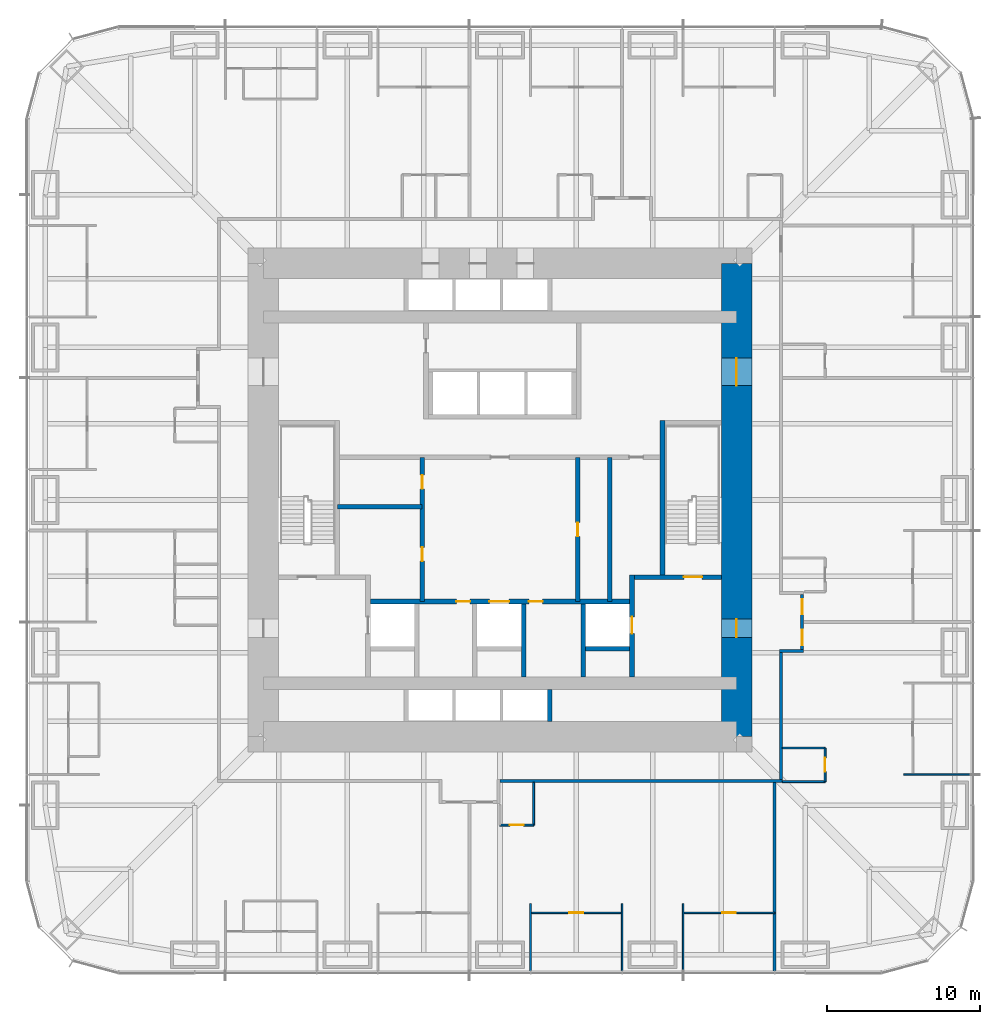
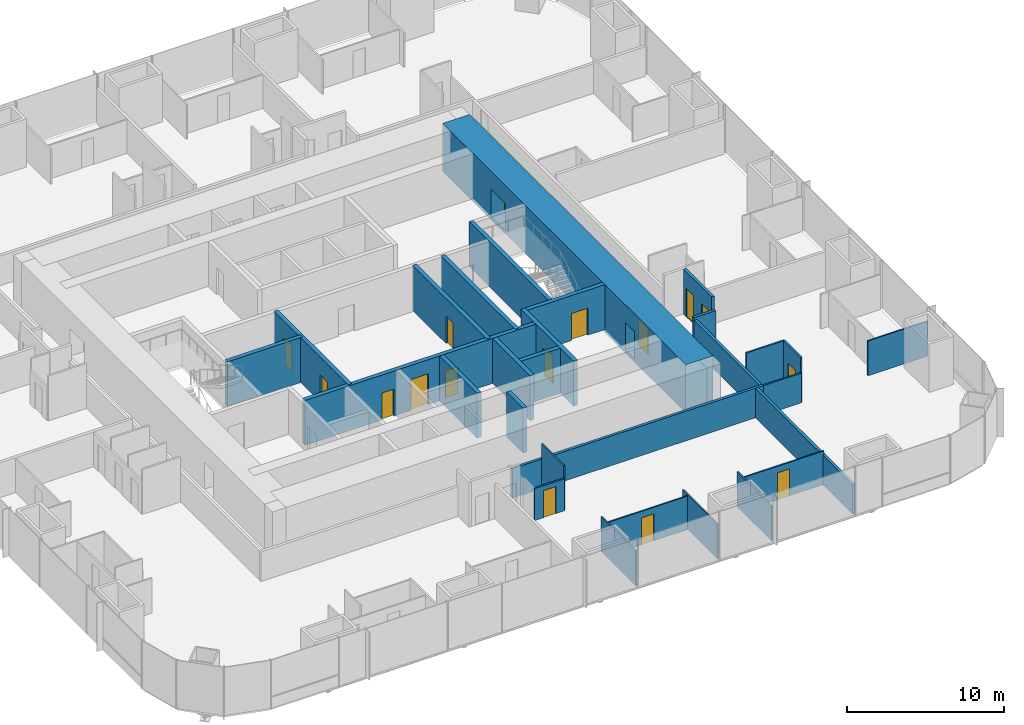
# One storey, part 13 of 17: 29 walls, 16 doors, 16 openings.
"""IFC4 building model written with IfcOpenShell, lengths in metres."""

from ifc_helpers import new_model, si_unit, direction, frame, frame_2d, origin, place, context, subcontext, project, spatial, rectangle, extrude, material, layer, layer_set, type_object, element, fill, save


model = new_model("IFC4")

# Units and contexts
model_context = context("Model", 3, precision=1e-05, world=origin(), true_north=direction((0.0, 1.0)))
body_context = subcontext(model_context, "Body", "Model", "MODEL_VIEW")
ifc_project = project(units=[si_unit("LENGTHUNIT", "METRE"), si_unit("AREAUNIT", "SQUARE_METRE"), si_unit("VOLUMEUNIT", "CUBIC_METRE"), si_unit("PLANEANGLEUNIT", "RADIAN"), si_unit("MASSUNIT", "GRAM", prefix="KILO")], contexts=[model_context])

# Site, building, storey
site_placement = place(None, origin())
site = spatial("IfcSite", under=ifc_project, at=site_placement, CompositionType="ELEMENT")
building_placement = place(site_placement, origin())
building = spatial("IfcBuilding", under=site, at=building_placement, Name="Khuree Lantern Residences", CompositionType="ELEMENT")
storey_placement = place(building_placement, frame((0.0, 0.0, 88.5)))
storey = spatial("IfcBuildingStorey", under=building, at=storey_placement, Name="L22", CompositionType="ELEMENT", Elevation=88.5)

# Wall, opening, door
ifc_material_1 = material(Name="Moisture-resistant gypsum board on steel studs", Category="steel")
ifc_layer_1 = layer(ifc_material_1, 0.125)
ifc_layer_set_1 = layer_set([ifc_layer_1], Name="BATHROOM WALL BTW125")
wall_type_1 = type_object("IfcWallType", Name="BATHROOM WALL BTW125", PredefinedType="PARTITIONING", material=ifc_layer_set_1)
wall_1_placement = place(storey_placement, frame((0.0, -21.300048828125, 0.0), z_axis=(0.0, 0.0, 1.0), x_axis=(1.0, 0.0, 0.0)))
wall_1 = element("IfcWall", 1, at=wall_1_placement, inside=storey, type_object=wall_type_1, Name="L22 BATHROOM WALL 08", PredefinedType="PARTITIONING", context=body_context, shape_type="SweptSolid", body=[
    extrude(rectangle(XDim=2.199951171875, YDim=0.125, at=frame_2d((1.10009765625, 0.0))), origin(), (0.0, 0.0, 1.0), 2.491943359375),
])
opening_1_placement = place(wall_1_placement, frame((0.64990234375, 0.0, 0.0)))
opening_1 = element("IfcOpeningElement", 2, at=opening_1_placement, cuts=wall_1, Name="Opening 22-055", PredefinedType="OPENING", context=body_context, shape_type="SweptSolid", body=[
    extrude(rectangle(XDim=0.89990234375, YDim=2.10009765625, at=frame_2d((0.449951171875, 1.050048828125))), frame((0.0, 0.072509765625, 0.0), z_axis=(0.0, -1.0, 0.0), x_axis=(1.0, 0.0, 0.0)), (0.0, 0.0, 1.0), 0.14501953125),
])
ifc_material_2 = material(Name="Timber door leaf in hardwood frame", Category="wood")
door_type_1 = type_object("IfcDoorType", Name="BATHROOM DOOR 900X2100", OperationType="SINGLE_SWING_LEFT", PredefinedType="DOOR", material=ifc_material_2)
door_1_placement = place(opening_1_placement, origin())
door_1 = element("IfcDoor", 3, at=door_1_placement, inside=storey, type_object=door_type_1, Name="Bathroom door 22-055", OperationType="SINGLE_SWING_LEFT", OverallHeight=2.10009765625, OverallWidth=0.89990234375, PredefinedType="DOOR", context=body_context, shape_type="SweptSolid", body=[
    extrude(rectangle(XDim=0.89990234375, YDim=2.10009765625, at=frame_2d((0.449951171875, 1.050048828125))), frame((0.0, 0.02490234375, 0.0), z_axis=(0.0, -1.0, 0.0), x_axis=(1.0, 0.0, 0.0)), (0.0, 0.0, 1.0), 0.050048828125),
])
fill(opening_1, door_1)

# Wall
wall_2_placement = place(storey_placement, frame((2.199951171875, -18.5, 0.0), z_axis=(0.0, 0.0, 1.0), x_axis=(0.0, -1.0, 0.0)))
element("IfcWall", 4, at=wall_2_placement, inside=storey, type_object=wall_type_1, Name="L22 BATHROOM WALL 08", PredefinedType="PARTITIONING", context=body_context, shape_type="SweptSolid", body=[
    extrude(rectangle(XDim=2.800048828125, YDim=0.125, at=frame_2d((1.39990234375, 0.0))), origin(), (0.0, 0.0, 1.0), 3.5),
])

# Wall, opening, door
wall_3_placement = place(storey_placement, frame((21.300048828125, -18.449951171875, 0.0), z_axis=(0.0, 0.0, 1.0), x_axis=(0.0, 1.0, 0.0)))
wall_3 = element("IfcWall", 5, at=wall_3_placement, inside=storey, type_object=wall_type_1, Name="L22 BATHROOM WALL 09", PredefinedType="PARTITIONING", context=body_context, shape_type="SweptSolid", body=[
    extrude(rectangle(XDim=2.199951171875, YDim=0.125, at=frame_2d((1.10009765625, 0.0))), origin(), (0.0, 0.0, 1.0), 3.5),
])
opening_2_placement = place(wall_3_placement, frame((0.64990234375, 0.0, 0.0)))
opening_2 = element("IfcOpeningElement", 6, at=opening_2_placement, cuts=wall_3, Name="Opening 22-058", PredefinedType="OPENING", context=body_context, shape_type="SweptSolid", body=[
    extrude(rectangle(XDim=0.89990234375, YDim=2.10009765625, at=frame_2d((0.449951171875, 1.050048828125))), frame((0.0, 0.072509765625, 0.0), z_axis=(0.0, -1.0, 0.0), x_axis=(1.0, 0.0, 0.0)), (0.0, 0.0, 1.0), 0.14501953125),
])
door_2_placement = place(opening_2_placement, origin())
door_2 = element("IfcDoor", 7, at=door_2_placement, inside=storey, type_object=door_type_1, Name="Bathroom door 22-058", OperationType="SINGLE_SWING_LEFT", OverallHeight=2.10009765625, OverallWidth=0.89990234375, PredefinedType="DOOR", context=body_context, shape_type="SweptSolid", body=[
    extrude(rectangle(XDim=0.89990234375, YDim=2.10009765625, at=frame_2d((0.449951171875, 1.050048828125))), frame((0.0, 0.02490234375, 0.0), z_axis=(0.0, -1.0, 0.0), x_axis=(1.0, 0.0, 0.0)), (0.0, 0.0, 1.0), 0.050048828125),
])
fill(opening_2, door_2)

# Walls
wall_4_placement = place(storey_placement, frame((18.5, -18.449951171875, 0.0), z_axis=(0.0, 0.0, 1.0), x_axis=(1.0, 0.0, 0.0)))
element("IfcWall", 8, at=wall_4_placement, inside=storey, type_object=wall_type_1, Name="L22 BATHROOM WALL 09", PredefinedType="PARTITIONING", context=body_context, shape_type="SweptSolid", body=[
    extrude(rectangle(XDim=2.800048828125, YDim=0.125, at=frame_2d((1.39990234375, 0.0))), origin(), (0.0, 0.0, 1.0), 2.300048828125),
])
wall_5_placement = place(storey_placement, frame((18.5, -16.25, 0.0), z_axis=(0.0, 0.0, 1.0), x_axis=(1.0, 0.0, 0.0)))
element("IfcWall", 9, at=wall_5_placement, inside=storey, type_object=wall_type_1, Name="L22 BATHROOM WALL 09", PredefinedType="PARTITIONING", context=body_context, shape_type="SweptSolid", body=[
    extrude(rectangle(XDim=2.800048828125, YDim=0.125, at=frame_2d((1.39990234375, 0.0))), origin(), (0.0, 0.0, 1.0), 3.5),
])

# Wall, opening, door
ifc_material_3 = material(Name="Dense concrete blockwork", Category="masonry")
ifc_layer_2 = layer(ifc_material_3, 0.300048828125)
ifc_layer_set_2 = layer_set([ifc_layer_2], Name="CORE PARTITION WALL CPW300 EI 120")
wall_type_2 = type_object("IfcWallType", Name="CORE PARTITION WALL CPW300 EI 120", PredefinedType="PARTITIONING", material=ifc_layer_set_2)
wall_6_placement = place(storey_placement, frame((8.64990234375, -11.60009765625, 0.0), z_axis=(0.0, 0.0, 1.0), x_axis=(0.0, 1.0, 0.0)))
wall_6 = element("IfcWall", 10, at=wall_6_placement, inside=storey, type_object=wall_type_2, Name="L22 CORE WALL FL2E", PredefinedType="PARTITIONING", context=body_context, shape_type="SweptSolid", body=[
    extrude(rectangle(XDim=6.7001953125, YDim=0.300048828125, at=frame_2d((3.35009765625, 0.0))), origin(), (0.0, 0.0, 1.0), 3.5),
])
opening_3_placement = place(wall_6_placement, frame((2.85009765625, 0.0, 0.0)))
opening_3 = element("IfcOpeningElement", 11, at=opening_3_placement, cuts=wall_6, Name="Opening 22-008", PredefinedType="OPENING", context=body_context, shape_type="SweptSolid", body=[
    extrude(rectangle(XDim=1.10009765625, YDim=2.10009765625, at=frame_2d((0.550048828125, 1.050048828125))), frame((0.0, 0.16015625, 0.0), z_axis=(0.0, -1.0, 0.0), x_axis=(1.0, 0.0, 0.0)), (0.0, 0.0, 1.0), 0.320068359375),
])
ifc_material_4 = material(Name="Stainless steel lift landing door", Category="steel")
door_type_2 = type_object("IfcDoorType", Name="LIFT LANDING DOOR 1100X2100 E 120", OperationType="DOUBLE_DOOR_SLIDING", PredefinedType="DOOR", material=ifc_material_4)
door_3_placement = place(opening_3_placement, origin())
door_3 = element("IfcDoor", 12, at=door_3_placement, inside=storey, type_object=door_type_2, Name="Landing door FL2 22-008", OperationType="DOUBLE_DOOR_SLIDING", OverallHeight=2.10009765625, OverallWidth=1.10009765625, PredefinedType="DOOR", context=body_context, shape_type="SweptSolid", body=[
    extrude(rectangle(XDim=1.10009765625, YDim=2.10009765625, at=frame_2d((0.550048828125, 1.050048828125))), frame((0.0, 0.02490234375, 0.0), z_axis=(0.0, -1.0, 0.0), x_axis=(1.0, 0.0, 0.0)), (0.0, 0.0, 1.0), 0.050048828125),
])
fill(opening_3, door_3)

# Wall, openings, doors
wall_7_placement = place(storey_placement, frame((-8.5, -6.64990234375, 0.0), z_axis=(0.0, 0.0, 1.0), x_axis=(1.0, 0.0, 0.0)))
wall_7 = element("IfcWall", 13, at=wall_7_placement, inside=storey, type_object=wall_type_2, Name="L22 CORE WALL FLROW", PredefinedType="PARTITIONING", context=body_context, shape_type="SweptSolid", body=[
    extrude(rectangle(XDim=17.0, YDim=0.300048828125, at=frame_2d((8.5, 0.0))), origin(), (0.0, 0.0, 1.0), 3.5),
])
opening_4_placement = place(wall_7_placement, frame((7.800048828125, 0.0, 0.0)))
opening_4 = element("IfcOpeningElement", 14, at=opening_4_placement, cuts=wall_7, Name="Opening 22-012", PredefinedType="OPENING", context=body_context, shape_type="SweptSolid", body=[
    extrude(rectangle(XDim=1.300048828125, YDim=2.39990234375, at=frame_2d((0.64990234375, 1.199951171875))), frame((0.0, 0.16015625, 0.0), z_axis=(0.0, -1.0, 0.0), x_axis=(1.0, 0.0, 0.0)), (0.0, 0.0, 1.0), 0.320068359375),
])
opening_5_placement = place(wall_7_placement, frame((5.64990234375, 0.0, 0.0)))
opening_5 = element("IfcOpeningElement", 15, at=opening_5_placement, cuts=wall_7, Name="Opening 22-014", PredefinedType="OPENING", context=body_context, shape_type="SweptSolid", body=[
    extrude(rectangle(XDim=0.89990234375, YDim=2.10009765625, at=frame_2d((0.449951171875, 1.050048828125))), frame((0.0, 0.16015625, 0.0), z_axis=(0.0, -1.0, 0.0), x_axis=(1.0, 0.0, 0.0)), (0.0, 0.0, 1.0), 0.320068359375),
])
opening_6_placement = place(wall_7_placement, frame((10.39990234375, 0.0, 0.0)))
opening_6 = element("IfcOpeningElement", 16, at=opening_6_placement, cuts=wall_7, Name="Opening 22-015", PredefinedType="OPENING", context=body_context, shape_type="SweptSolid", body=[
    extrude(rectangle(XDim=0.89990234375, YDim=2.10009765625, at=frame_2d((0.449951171875, 1.050048828125))), frame((0.0, 0.16015625, 0.0), z_axis=(0.0, -1.0, 0.0), x_axis=(1.0, 0.0, 0.0)), (0.0, 0.0, 1.0), 0.320068359375),
])
ifc_material_5 = material(Name="Steel door leaf in steel frame", Category="steel")
door_type_3 = type_object("IfcDoorType", Name="DOOR 900X2100 EI 60", OperationType="SINGLE_SWING_LEFT", PredefinedType="DOOR", material=ifc_material_5)
door_4_placement = place(opening_5_placement, origin())
door_4 = element("IfcDoor", 17, at=door_4_placement, inside=storey, type_object=door_type_3, Name="Refuse chute room door 22-014", OperationType="SINGLE_SWING_LEFT", OverallHeight=2.10009765625, OverallWidth=0.89990234375, PredefinedType="DOOR", context=body_context, shape_type="SweptSolid", body=[
    extrude(rectangle(XDim=0.89990234375, YDim=2.10009765625, at=frame_2d((0.449951171875, 1.050048828125))), frame((0.0, 0.02490234375, 0.0), z_axis=(0.0, -1.0, 0.0), x_axis=(1.0, 0.0, 0.0)), (0.0, 0.0, 1.0), 0.050048828125),
])
fill(opening_5, door_4)
door_type_4 = type_object("IfcDoorType", Name="DOOR 900X2100 EI 60 RIGHT HAND", OperationType="SINGLE_SWING_RIGHT", PredefinedType="DOOR", material=ifc_material_5)
door_5_placement = place(opening_6_placement, origin())
door_5 = element("IfcDoor", 18, at=door_5_placement, inside=storey, type_object=door_type_4, Name="Electrical and plumbing riser door 22-015", OperationType="SINGLE_SWING_RIGHT", OverallHeight=2.10009765625, OverallWidth=0.89990234375, PredefinedType="DOOR", context=body_context, shape_type="SweptSolid", body=[
    extrude(rectangle(XDim=0.89990234375, YDim=2.10009765625, at=frame_2d((0.449951171875, 1.050048828125))), frame((0.0, 0.02490234375, 0.0), z_axis=(0.0, -1.0, 0.0), x_axis=(1.0, 0.0, 0.0)), (0.0, 0.0, 1.0), 0.050048828125),
])
fill(opening_6, door_5)
door_type_5 = type_object("IfcDoorType", Name="LIFT LANDING DOOR 1300X2400 E 60", OperationType="DOUBLE_DOOR_SLIDING", PredefinedType="DOOR", material=ifc_material_4)
door_6_placement = place(opening_4_placement, origin())
door_6 = element("IfcDoor", 19, at=door_6_placement, inside=storey, type_object=door_type_5, Name="Landing door SL1 22-012", OperationType="DOUBLE_DOOR_SLIDING", OverallHeight=2.39990234375, OverallWidth=1.300048828125, PredefinedType="DOOR", context=body_context, shape_type="SweptSolid", body=[
    extrude(rectangle(XDim=1.300048828125, YDim=2.39990234375, at=frame_2d((0.64990234375, 1.199951171875))), frame((0.0, 0.02490234375, 0.0), z_axis=(0.0, -1.0, 0.0), x_axis=(1.0, 0.0, 0.0)), (0.0, 0.0, 1.0), 0.050048828125),
])
fill(opening_4, door_6)

# Walls
for number, where, z_axis, x_axis, name in (
    (20, (1.550048828125, -11.60009765625, 0.0), (0.0, 0.0, 1.0), (0.0, 1.0, 0.0), "L22 CORE WALL SL1E"),
    (21, (5.449951171875, -11.60009765625, 0.0), (0.0, 0.0, 1.0), (0.0, 1.0, 0.0), "L22 CORE WALL FL2W"),
):
    element("IfcWall", number, at=place(storey_placement, frame(where, z_axis=z_axis, x_axis=x_axis)), inside=storey, type_object=wall_type_2, Name=name, PredefinedType="PARTITIONING", context=body_context, shape_type="SweptSolid", body=[
        extrude(rectangle(XDim=4.800048828125, YDim=0.300048828125, at=frame_2d((2.39990234375, 0.0))), origin(), (0.0, 0.0, 1.0), 3.5),
    ])
wall_8_placement = place(storey_placement, frame((5.60009765625, -9.75, 0.0), z_axis=(0.0, 0.0, 1.0), x_axis=(1.0, 0.0, 0.0)))
element("IfcWall", 22, at=wall_8_placement, inside=storey, type_object=wall_type_2, Name="L22 CORE WALL FL2S", PredefinedType="PARTITIONING", context=body_context, shape_type="SweptSolid", body=[
    extrude(rectangle(XDim=2.89990234375, YDim=0.300048828125, at=frame_2d((1.449951171875, 0.0))), origin(), (0.0, 0.0, 1.0), 3.5),
])
wall_9_placement = place(storey_placement, frame((3.25, -14.5, 0.0), z_axis=(0.0, 0.0, 1.0), x_axis=(0.0, 1.0, 0.0)))
element("IfcWall", 23, at=wall_9_placement, inside=storey, type_object=wall_type_2, Name="L22 CORE WALL PME", PredefinedType="PARTITIONING", context=body_context, shape_type="SweptSolid", body=[
    extrude(rectangle(XDim=2.10009765625, YDim=0.300048828125, at=frame_2d((1.050048828125, 0.0))), origin(), (0.0, 0.0, 1.0), 3.5),
])

# Wall, openings, doors
wall_10_placement = place(storey_placement, frame((-5.10009765625, -6.64990234375, 0.0), z_axis=(0.0, 0.0, 1.0), x_axis=(0.0, 1.0, 0.0)))
wall_10 = element("IfcWall", 24, at=wall_10_placement, inside=storey, type_object=wall_type_2, Name="L22 CORE WALL SVW", PredefinedType="PARTITIONING", context=body_context, shape_type="SweptSolid", body=[
    extrude(rectangle(XDim=9.449951171875, YDim=0.300048828125, at=frame_2d((4.72509765625, 0.0))), origin(), (0.0, 0.0, 1.0), 3.5),
])
opening_7_placement = place(wall_10_placement, frame((2.64794921875, 0.0, 0.0)))
opening_7 = element("IfcOpeningElement", 25, at=opening_7_placement, cuts=wall_10, Name="Opening 22-016", PredefinedType="OPENING", context=body_context, shape_type="SweptSolid", body=[
    extrude(rectangle(XDim=0.89990234375, YDim=2.10009765625, at=frame_2d((0.449951171875, 1.050048828125))), frame((0.0, 0.16015625, 0.0), z_axis=(0.0, -1.0, 0.0), x_axis=(1.0, 0.0, 0.0)), (0.0, 0.0, 1.0), 0.320068359375),
])
opening_8_placement = place(wall_10_placement, frame((7.373046875, 0.0, 0.0)))
opening_8 = element("IfcOpeningElement", 26, at=opening_8_placement, cuts=wall_10, Name="Opening 22-017", PredefinedType="OPENING", context=body_context, shape_type="SweptSolid", body=[
    extrude(rectangle(XDim=0.89990234375, YDim=2.10009765625, at=frame_2d((0.449951171875, 1.050048828125))), frame((0.0, 0.16015625, 0.0), z_axis=(0.0, -1.0, 0.0), x_axis=(1.0, 0.0, 0.0)), (0.0, 0.0, 1.0), 0.320068359375),
])
door_type_6 = type_object("IfcDoorType", Name="DOOR 900X2100", OperationType="SINGLE_SWING_LEFT", PredefinedType="DOOR", material=ifc_material_2)
door_7_placement = place(opening_7_placement, origin())
door_7 = element("IfcDoor", 27, at=door_7_placement, inside=storey, type_object=door_type_6, Name="Residents' store door 22-016", OperationType="SINGLE_SWING_LEFT", OverallHeight=2.10009765625, OverallWidth=0.89990234375, PredefinedType="DOOR", context=body_context, shape_type="SweptSolid", body=[
    extrude(rectangle(XDim=0.89990234375, YDim=2.10009765625, at=frame_2d((0.449951171875, 1.050048828125))), frame((0.0, 0.02490234375, 0.0), z_axis=(0.0, -1.0, 0.0), x_axis=(1.0, 0.0, 0.0)), (0.0, 0.0, 1.0), 0.050048828125),
])
fill(opening_7, door_7)
door_8_placement = place(opening_8_placement, origin())
door_8 = element("IfcDoor", 28, at=door_8_placement, inside=storey, type_object=door_type_6, Name="Bulky waste store door 22-017", OperationType="SINGLE_SWING_LEFT", OverallHeight=2.10009765625, OverallWidth=0.89990234375, PredefinedType="DOOR", context=body_context, shape_type="SweptSolid", body=[
    extrude(rectangle(XDim=0.89990234375, YDim=2.10009765625, at=frame_2d((0.449951171875, 1.050048828125))), frame((0.0, 0.02490234375, 0.0), z_axis=(0.0, -1.0, 0.0), x_axis=(1.0, 0.0, 0.0)), (0.0, 0.0, 1.0), 0.050048828125),
])
fill(opening_8, door_8)

# Wall, opening, door
wall_11_placement = place(storey_placement, frame((5.10009765625, -6.64990234375, 0.0), z_axis=(0.0, 0.0, 1.0), x_axis=(0.0, 1.0, 0.0)))
wall_11 = element("IfcWall", 29, at=wall_11_placement, inside=storey, type_object=wall_type_2, Name="L22 CORE WALL SVE", PredefinedType="PARTITIONING", context=body_context, shape_type="SweptSolid", body=[
    extrude(rectangle(XDim=9.449951171875, YDim=0.300048828125, at=frame_2d((4.72509765625, 0.0))), origin(), (0.0, 0.0, 1.0), 3.5),
])
opening_9_placement = place(wall_11_placement, frame((4.27490234375, 0.0, 0.0)))
opening_9 = element("IfcOpeningElement", 30, at=opening_9_placement, cuts=wall_11, Name="Opening 22-018", PredefinedType="OPENING", context=body_context, shape_type="SweptSolid", body=[
    extrude(rectangle(XDim=0.89990234375, YDim=2.10009765625, at=frame_2d((0.449951171875, 1.050048828125))), frame((0.0, 0.16015625, 0.0), z_axis=(0.0, -1.0, 0.0), x_axis=(1.0, 0.0, 0.0)), (0.0, 0.0, 1.0), 0.320068359375),
])
door_9_placement = place(opening_9_placement, origin())
door_9 = element("IfcDoor", 31, at=door_9_placement, inside=storey, type_object=door_type_6, Name="Parcel room door 22-018", OperationType="SINGLE_SWING_LEFT", OverallHeight=2.10009765625, OverallWidth=0.89990234375, PredefinedType="DOOR", context=body_context, shape_type="SweptSolid", body=[
    extrude(rectangle(XDim=0.89990234375, YDim=2.10009765625, at=frame_2d((0.449951171875, 1.050048828125))), frame((0.0, 0.02490234375, 0.0), z_axis=(0.0, -1.0, 0.0), x_axis=(1.0, 0.0, 0.0)), (0.0, 0.0, 1.0), 0.050048828125),
])
fill(opening_9, door_9)

# Walls
wall_12_placement = place(storey_placement, frame((-10.64990234375, -0.455078125, 0.0), z_axis=(0.0, 0.0, 1.0), x_axis=(1.0, 0.0, 0.0)))
element("IfcWall", 32, at=wall_12_placement, inside=storey, type_object=wall_type_2, Name="L22 CORE WALL WX", PredefinedType="PARTITIONING", context=body_context, shape_type="SweptSolid", body=[
    extrude(rectangle(XDim=5.5498046875, YDim=0.300048828125, at=frame_2d((2.77490234375, 0.0))), origin(), (0.0, 0.0, 1.0), 3.5),
])
wall_13_placement = place(storey_placement, frame((7.193115234375, -6.64990234375, 0.0), z_axis=(0.0, 0.0, 1.0), x_axis=(0.0, 1.0, 0.0)))
element("IfcWall", 33, at=wall_13_placement, inside=storey, type_object=wall_type_2, Name="L22 CORE WALL EV", PredefinedType="PARTITIONING", context=body_context, shape_type="SweptSolid", body=[
    extrude(rectangle(XDim=9.449951171875, YDim=0.300048828125, at=frame_2d((4.72509765625, 0.0))), origin(), (0.0, 0.0, 1.0), 3.5),
])
ifc_material_6 = material(Name="Gypsum board on steel studs", Category="steel")
ifc_layer_3 = layer(ifc_material_6, 0.199951171875)
ifc_layer_set_3 = layer_set([ifc_layer_3], Name="CORRIDOR WALL CRW200 EI 60")
wall_type_3 = type_object("IfcWallType", Name="CORRIDOR WALL CRW200 EI 60", PredefinedType="PARTITIONING", material=ifc_layer_set_3)
wall_14_placement = place(storey_placement, frame((18.39990234375, -18.300048828125, 0.0), z_axis=(0.0, 0.0, 1.0), x_axis=(0.0, 1.0, 0.0)))
element("IfcWall", 34, at=wall_14_placement, inside=storey, type_object=wall_type_3, Name="L22 CORRIDOR WALL EAST 1", PredefinedType="PARTITIONING", context=body_context, shape_type="SweptSolid", body=[
    extrude(rectangle(XDim=8.300048828125, YDim=0.199951171875, at=frame_2d((4.14990234375, 0.0))), origin(), (0.0, 0.0, 1.0), 2.300048828125),
])
wall_15_placement = place(storey_placement, frame((18.300048828125, -9.89990234375, 0.0), z_axis=(0.0, 0.0, 1.0), x_axis=(1.0, 0.0, 0.0)))
element("IfcWall", 35, at=wall_15_placement, inside=storey, type_object=wall_type_3, Name="L22 CORRIDOR ALCOVE WALL EAST", PredefinedType="PARTITIONING", context=body_context, shape_type="SweptSolid", body=[
    extrude(rectangle(XDim=1.599853515625, YDim=0.199951171875, at=frame_2d((0.7998046875, 0.0))), origin(), (0.0, 0.0, 1.0), 2.491943359375),
])

# Wall, openings, doors
wall_16_placement = place(storey_placement, frame((19.800048828125, -9.800048828125, 0.0), z_axis=(0.0, 0.0, 1.0), x_axis=(0.0, 1.0, 0.0)))
wall_16 = element("IfcWall", 36, at=wall_16_placement, inside=storey, type_object=wall_type_3, Name="L22 CORRIDOR ALCOVE WALL EAST", PredefinedType="PARTITIONING", context=body_context, shape_type="SweptSolid", body=[
    extrude(rectangle(XDim=3.60009765625, YDim=0.199951171875, at=frame_2d((1.800048828125, 0.0))), origin(), (0.0, 0.0, 1.0), 3.5),
])
opening_10_placement = place(wall_16_placement, frame((2.300048828125, 0.0, 0.0)))
opening_10 = element("IfcOpeningElement", 37, at=opening_10_placement, cuts=wall_16, Name="Opening 22-023", PredefinedType="OPENING", context=body_context, shape_type="SweptSolid", body=[
    extrude(rectangle(XDim=1.0, YDim=2.199951171875, at=frame_2d((0.5, 1.10009765625))), frame((0.0, 0.10986328125, 0.0), z_axis=(0.0, -1.0, 0.0), x_axis=(1.0, 0.0, 0.0)), (0.0, 0.0, 1.0), 0.219970703125),
])
opening_11_placement = place(wall_16_placement, frame((0.300048828125, 0.0, 0.0)))
opening_11 = element("IfcOpeningElement", 38, at=opening_11_placement, cuts=wall_16, Name="Opening 22-059", PredefinedType="OPENING", context=body_context, shape_type="SweptSolid", body=[
    extrude(rectangle(XDim=1.0, YDim=2.199951171875, at=frame_2d((0.5, 1.10009765625))), frame((0.0, 0.10986328125, 0.0), z_axis=(0.0, -1.0, 0.0), x_axis=(1.0, 0.0, 0.0)), (0.0, 0.0, 1.0), 0.219970703125),
])
door_type_7 = type_object("IfcDoorType", Name="APARTMENT ENTRANCE DOOR 1000X2200 EI 30S", OperationType="SINGLE_SWING_LEFT", PredefinedType="DOOR", material=ifc_material_2)
door_10_placement = place(opening_11_placement, origin())
door_10 = element("IfcDoor", 39, at=door_10_placement, inside=storey, type_object=door_type_7, Name="Apartment 09 entrance door 22-059", OperationType="SINGLE_SWING_LEFT", OverallHeight=2.199951171875, OverallWidth=1.0, PredefinedType="DOOR", context=body_context, shape_type="SweptSolid", body=[
    extrude(rectangle(XDim=1.0, YDim=2.199951171875, at=frame_2d((0.5, 1.10009765625))), frame((0.0, 0.02490234375, 0.0), z_axis=(0.0, -1.0, 0.0), x_axis=(1.0, 0.0, 0.0)), (0.0, 0.0, 1.0), 0.050048828125),
])
fill(opening_11, door_10)
door_type_8 = type_object("IfcDoorType", Name="APARTMENT ENTRANCE DOOR 1000X2200 EI 30S RIGHT HAND", OperationType="SINGLE_SWING_RIGHT", PredefinedType="DOOR", material=ifc_material_2)
door_11_placement = place(opening_10_placement, origin())
door_11 = element("IfcDoor", 40, at=door_11_placement, inside=storey, type_object=door_type_8, Name="Apartment 01 entrance door 22-023", OperationType="SINGLE_SWING_RIGHT", OverallHeight=2.199951171875, OverallWidth=1.0, PredefinedType="DOOR", context=body_context, shape_type="SweptSolid", body=[
    extrude(rectangle(XDim=1.0, YDim=2.199951171875, at=frame_2d((0.5, 1.10009765625))), frame((0.0, 0.02490234375, 0.0), z_axis=(0.0, -1.0, 0.0), x_axis=(1.0, 0.0, 0.0)), (0.0, 0.0, 1.0), 0.050048828125),
])
fill(opening_10, door_11)

# Wall
wall_17_placement = place(storey_placement, frame((18.5, -18.39990234375, 0.0), z_axis=(0.0, 0.0, 1.0), x_axis=(-1.0, 0.0, 0.0)))
element("IfcWall", 41, at=wall_17_placement, inside=storey, type_object=wall_type_3, Name="L22 CORRIDOR WALL SOUTH 1", PredefinedType="PARTITIONING", context=body_context, shape_type="SweptSolid", body=[
    extrude(rectangle(XDim=18.5, YDim=0.199951171875, at=frame_2d((9.25, 0.0))), origin(), (0.0, 0.0, 1.0), 2.300048828125),
])

# Wall, openings, doors
ifc_material_7 = material(Name="Concrete C70/85", Category="concrete")
ifc_layer_4 = layer(ifc_material_7, 2.0)
ifc_layer_set_4 = layer_set([ifc_layer_4], Name="CW2000-C70 CORE WALL C70 2000")
wall_type_4 = type_object("IfcWallType", Name="CW2000-C70 CORE WALL C70 2000", PredefinedType="SHEAR", material=ifc_layer_set_4)
wall_18_placement = place(storey_placement, frame((15.5, -15.5, -0.25), z_axis=(0.0, 0.0, 1.0), x_axis=(0.0, 1.0, 0.0)))
wall_18 = element("IfcWall", 42, at=wall_18_placement, inside=storey, type_object=wall_type_4, Name="Core wall E", PredefinedType="SHEAR", context=body_context, shape_type="SweptSolid", body=[
    extrude(rectangle(XDim=31.0, YDim=2.0, at=frame_2d((15.5, 0.0))), origin(), (0.0, 0.0, 1.0), 3.75),
])
opening_12_placement = place(wall_18_placement, frame((6.5, 0.0, 0.25)))
opening_12 = element("IfcOpeningElement", 43, at=opening_12_placement, cuts=wall_18, Name="Opening 22-005", PredefinedType="OPENING", context=body_context, shape_type="SweptSolid", body=[
    extrude(rectangle(XDim=1.199951171875, YDim=2.10009765625, at=frame_2d((0.60009765625, 1.050048828125))), frame((0.0, 1.010009765625, 0.0), z_axis=(0.0, -1.0, 0.0), x_axis=(1.0, 0.0, 0.0)), (0.0, 0.0, 1.0), 2.02001953125),
])
opening_13_placement = place(wall_18_placement, frame((23.0, 0.0, 0.25)))
opening_13 = element("IfcOpeningElement", 44, at=opening_13_placement, cuts=wall_18, Name="Opening 22-006", PredefinedType="OPENING", context=body_context, shape_type="SweptSolid", body=[
    extrude(rectangle(XDim=1.800048828125, YDim=2.10009765625, at=frame_2d((0.89990234375, 1.050048828125))), frame((0.0, 1.010009765625, 0.0), z_axis=(0.0, -1.0, 0.0), x_axis=(1.0, 0.0, 0.0)), (0.0, 0.0, 1.0), 2.02001953125),
])
door_type_9 = type_object("IfcDoorType", Name="LOBBY DOOR 1200X2100 EI 120", OperationType="SINGLE_SWING_LEFT", PredefinedType="DOOR", material=ifc_material_5)
door_12_placement = place(opening_12_placement, origin())
door_12 = element("IfcDoor", 45, at=door_12_placement, inside=storey, type_object=door_type_9, Name="Firefighting lobby door 22-005", OperationType="SINGLE_SWING_LEFT", OverallHeight=2.10009765625, OverallWidth=1.199951171875, PredefinedType="DOOR", context=body_context, shape_type="SweptSolid", body=[
    extrude(rectangle(XDim=1.199951171875, YDim=2.10009765625, at=frame_2d((0.60009765625, 1.050048828125))), frame((0.0, 0.02490234375, 0.0), z_axis=(0.0, -1.0, 0.0), x_axis=(1.0, 0.0, 0.0)), (0.0, 0.0, 1.0), 0.050048828125),
])
fill(opening_12, door_12)
door_type_10 = type_object("IfcDoorType", Name="LOBBY DOUBLE DOOR 1800X2100 EI 60", OperationType="DOUBLE_DOOR_SINGLE_SWING", PredefinedType="DOOR", material=ifc_material_5)
door_13_placement = place(opening_13_placement, origin())
door_13 = element("IfcDoor", 46, at=door_13_placement, inside=storey, type_object=door_type_10, Name="Lift lobby door 22-006", OperationType="DOUBLE_DOOR_SINGLE_SWING", OverallHeight=2.10009765625, OverallWidth=1.800048828125, PredefinedType="DOOR", context=body_context, shape_type="SweptSolid", body=[
    extrude(rectangle(XDim=1.800048828125, YDim=2.10009765625, at=frame_2d((0.89990234375, 1.050048828125))), frame((0.0, 0.02490234375, 0.0), z_axis=(0.0, -1.0, 0.0), x_axis=(1.0, 0.0, 0.0)), (0.0, 0.0, 1.0), 0.050048828125),
])
fill(opening_13, door_13)

# Walls
ifc_layer_5 = layer(ifc_material_6, 0.199951171875)
ifc_layer_set_5 = layer_set([ifc_layer_5], Name="DEMISING WALL DMW200 EI 90")
wall_type_5 = type_object("IfcWallType", Name="DEMISING WALL DMW200 EI 90", PredefinedType="PARTITIONING", material=ifc_layer_set_5)
wall_19_placement = place(storey_placement, frame((18.0, -18.5, 0.0), z_axis=(0.0, 0.0, 1.0), x_axis=(0.0, -1.0, 0.0)))
element("IfcWall", 47, at=wall_19_placement, inside=storey, type_object=wall_type_5, Name="L22 DEMISING WALL 09", PredefinedType="PARTITIONING", context=body_context, shape_type="SweptSolid", body=[
    extrude(rectangle(XDim=12.35009765625, YDim=0.199951171875, at=frame_2d((6.175048828125, 0.0))), origin(), (0.0, 0.0, 1.0), 2.300048828125),
])
ifc_layer_6 = layer(ifc_material_6, 0.10009765625)
ifc_layer_set_6 = layer_set([ifc_layer_6], Name="PARTITION PT100")
wall_type_6 = type_object("IfcWallType", Name="PARTITION PT100", PredefinedType="PARTITIONING", material=ifc_layer_set_6)
for number, where, z_axis, x_axis, name in (
    (48, (2.0, -26.449951171875, 0.0), (0.0, 0.0, 1.0), (0.0, -1.0, 0.0), "L22 PARTITION 08"),
    (49, (8.0, -26.449951171875, 0.0), (0.0, 0.0, 1.0), (0.0, -1.0, 0.0), "L22 PARTITION 08"),
    (50, (12.0, -26.449951171875, 0.0), (0.0, 0.0, 1.0), (0.0, -1.0, 0.0), "L22 PARTITION 08"),
    (51, (26.449951171875, -18.0, 0.0), (0.0, 0.0, 1.0), (1.0, 0.0, 0.0), "L22 PARTITION 09"),
):
    element("IfcWall", number, at=place(storey_placement, frame(where, z_axis=z_axis, x_axis=x_axis)), inside=storey, type_object=wall_type_6, Name=name, PredefinedType="PARTITIONING", context=body_context, shape_type="SweptSolid", body=[
        extrude(rectangle(XDim=4.400146484375, YDim=0.10009765625, at=frame_2d((2.2001953125, 0.0))), origin(), (0.0, 0.0, 1.0), 2.7099609375),
    ])

# Wall, opening, door
wall_20_placement = place(storey_placement, frame((2.0, -27.050048828125, 0.0), z_axis=(0.0, 0.0, 1.0), x_axis=(1.0, 0.0, 0.0)))
wall_20 = element("IfcWall", 52, at=wall_20_placement, inside=storey, type_object=wall_type_6, Name="L22 PARTITION 08", PredefinedType="PARTITIONING", context=body_context, shape_type="SweptSolid", body=[
    extrude(rectangle(XDim=6.0, YDim=0.10009765625, at=frame_2d((3.0, 0.0))), origin(), (0.0, 0.0, 1.0), 2.610107421875),
])
opening_14_placement = place(wall_20_placement, frame((2.550048828125, 0.0, 0.0)))
opening_14 = element("IfcOpeningElement", 53, at=opening_14_placement, cuts=wall_20, Name="Opening 22-053", PredefinedType="OPENING", context=body_context, shape_type="SweptSolid", body=[
    extrude(rectangle(XDim=0.89990234375, YDim=2.10009765625, at=frame_2d((0.449951171875, 1.050048828125))), frame((0.0, 0.06005859375, 0.0), z_axis=(0.0, -1.0, 0.0), x_axis=(1.0, 0.0, 0.0)), (0.0, 0.0, 1.0), 0.1201171875),
])
door_type_11 = type_object("IfcDoorType", Name="BEDROOM DOOR 900X2100", OperationType="SINGLE_SWING_LEFT", PredefinedType="DOOR", material=ifc_material_2)
door_14_placement = place(opening_14_placement, origin())
door_14 = element("IfcDoor", 54, at=door_14_placement, inside=storey, type_object=door_type_11, Name="Bedroom door 22-053", OperationType="SINGLE_SWING_LEFT", OverallHeight=2.10009765625, OverallWidth=0.89990234375, PredefinedType="DOOR", context=body_context, shape_type="SweptSolid", body=[
    extrude(rectangle(XDim=0.89990234375, YDim=2.10009765625, at=frame_2d((0.449951171875, 1.050048828125))), frame((0.0, 0.02490234375, 0.0), z_axis=(0.0, -1.0, 0.0), x_axis=(1.0, 0.0, 0.0)), (0.0, 0.0, 1.0), 0.050048828125),
])
fill(opening_14, door_14)

wall_21_placement = place(storey_placement, frame((12.0, -27.050048828125, 0.0), z_axis=(0.0, 0.0, 1.0), x_axis=(1.0, 0.0, 0.0)))
wall_21 = element("IfcWall", 55, at=wall_21_placement, inside=storey, type_object=wall_type_6, Name="L22 PARTITION 08", PredefinedType="PARTITIONING", context=body_context, shape_type="SweptSolid", body=[
    extrude(rectangle(XDim=6.0, YDim=0.10009765625, at=frame_2d((3.0, 0.0))), origin(), (0.0, 0.0, 1.0), 2.610107421875),
])
opening_15_placement = place(wall_21_placement, frame((2.550048828125, 0.0, 0.0)))
opening_15 = element("IfcOpeningElement", 56, at=opening_15_placement, cuts=wall_21, Name="Opening 22-054", PredefinedType="OPENING", context=body_context, shape_type="SweptSolid", body=[
    extrude(rectangle(XDim=0.89990234375, YDim=2.10009765625, at=frame_2d((0.449951171875, 1.050048828125))), frame((0.0, 0.06005859375, 0.0), z_axis=(0.0, -1.0, 0.0), x_axis=(1.0, 0.0, 0.0)), (0.0, 0.0, 1.0), 0.1201171875),
])
door_type_12 = type_object("IfcDoorType", Name="BEDROOM DOOR 900X2100 RIGHT HAND", OperationType="SINGLE_SWING_RIGHT", PredefinedType="DOOR", material=ifc_material_2)
door_15_placement = place(opening_15_placement, origin())
door_15 = element("IfcDoor", 57, at=door_15_placement, inside=storey, type_object=door_type_12, Name="Bedroom door 22-054", OperationType="SINGLE_SWING_RIGHT", OverallHeight=2.10009765625, OverallWidth=0.89990234375, PredefinedType="DOOR", context=body_context, shape_type="SweptSolid", body=[
    extrude(rectangle(XDim=0.89990234375, YDim=2.10009765625, at=frame_2d((0.449951171875, 1.050048828125))), frame((0.0, 0.02490234375, 0.0), z_axis=(0.0, -1.0, 0.0), x_axis=(1.0, 0.0, 0.0)), (0.0, 0.0, 1.0), 0.050048828125),
])
fill(opening_15, door_15)

# Wall
ifc_material_8 = material(Name="Concrete C50/60", Category="concrete")
ifc_layer_7 = layer(ifc_material_8, 0.300048828125)
ifc_layer_set_7 = layer_set([ifc_layer_7], Name="STAIR WALL SRW300 C50/60 REI 240")
wall_type_7 = type_object("IfcWallType", Name="STAIR WALL SRW300 C50/60 REI 240", PredefinedType="SOLIDWALL", material=ifc_layer_set_7)
wall_22_placement = place(storey_placement, frame((10.64990234375, -4.89990234375, 0.0), z_axis=(0.0, 0.0, 1.0), x_axis=(0.0, 1.0, 0.0)))
element("IfcWall", 58, at=wall_22_placement, inside=storey, type_object=wall_type_7, Name="L22 STAIR WALL ST2E", PredefinedType="SOLIDWALL", context=body_context, shape_type="SweptSolid", body=[
    extrude(rectangle(XDim=10.099853515625, YDim=0.300048828125, at=frame_2d((5.0498046875, 0.0))), origin(), (0.0, 0.0, 1.0), 3.5),
])

# Wall, opening, door
wall_23_placement = place(storey_placement, frame((14.5, -5.050048828125, 0.0), z_axis=(0.0, 0.0, 1.0), x_axis=(-1.0, 0.0, 0.0)))
wall_23 = element("IfcWall", 59, at=wall_23_placement, inside=storey, type_object=wall_type_7, Name="L22 STAIR WALL ST2S", PredefinedType="SOLIDWALL", context=body_context, shape_type="SweptSolid", body=[
    extrude(rectangle(XDim=5.699951171875, YDim=0.300048828125, at=frame_2d((2.85009765625, 0.0))), origin(), (0.0, 0.0, 1.0), 3.5),
])
opening_16_placement = place(wall_23_placement, frame((1.25, 0.0, 0.0)))
opening_16 = element("IfcOpeningElement", 60, at=opening_16_placement, cuts=wall_23, Name="Opening 22-004", PredefinedType="OPENING", context=body_context, shape_type="SweptSolid", body=[
    extrude(rectangle(XDim=1.199951171875, YDim=2.10009765625, at=frame_2d((0.60009765625, 1.050048828125))), frame((0.0, 0.16015625, 0.0), z_axis=(0.0, -1.0, 0.0), x_axis=(1.0, 0.0, 0.0)), (0.0, 0.0, 1.0), 0.320068359375),
])
door_type_13 = type_object("IfcDoorType", Name="STAIR DOOR 1200X2100 EI 120", OperationType="SINGLE_SWING_LEFT", PredefinedType="DOOR", material=ifc_material_5)
door_16_placement = place(opening_16_placement, origin())
door_16 = element("IfcDoor", 61, at=door_16_placement, inside=storey, type_object=door_type_13, Name="Stair ST2 door 22-004", OperationType="SINGLE_SWING_LEFT", OverallHeight=2.10009765625, OverallWidth=1.199951171875, PredefinedType="DOOR", context=body_context, shape_type="SweptSolid", body=[
    extrude(rectangle(XDim=1.199951171875, YDim=2.10009765625, at=frame_2d((0.60009765625, 1.050048828125))), frame((0.0, 0.02490234375, 0.0), z_axis=(0.0, -1.0, 0.0), x_axis=(1.0, 0.0, 0.0)), (0.0, 0.0, 1.0), 0.050048828125),
])
fill(opening_16, door_16)

save(model, "model.ifc")
